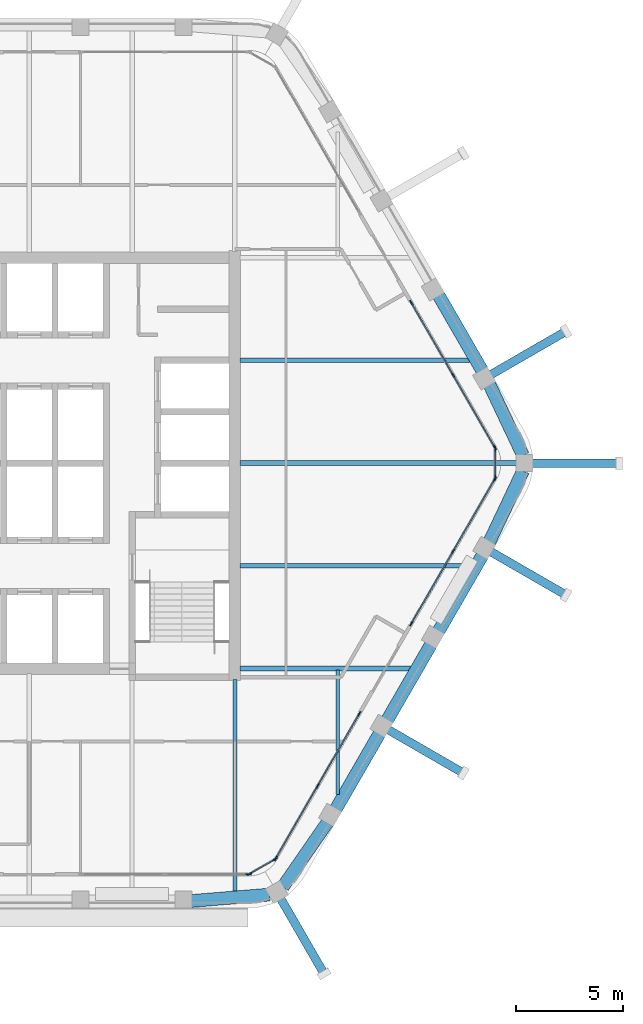
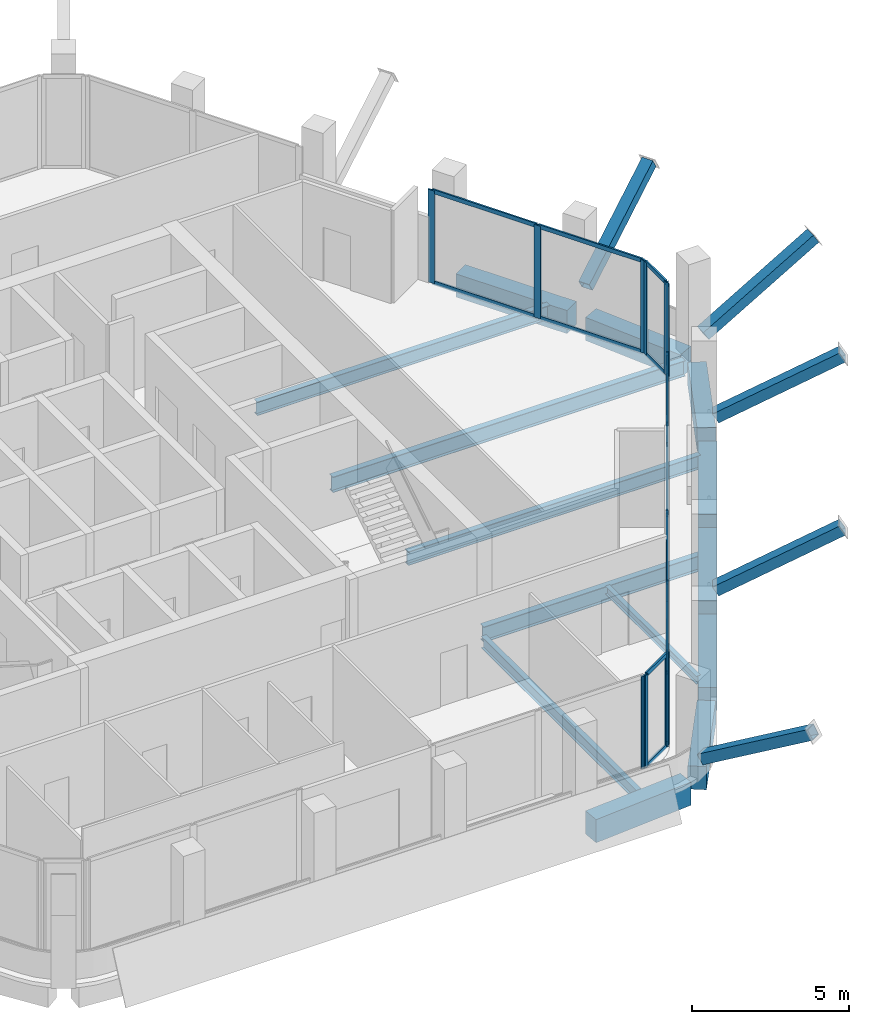
# One storey, part 4 of 14: 35 members, 14 beams, 6 elements without a shape of their own.
"""IFC4 building model written with IfcOpenShell, lengths in metres."""

from ifc_helpers import new_model, si_unit, direction, frame, origin, origin_2d, place, context, subcontext, project, spatial, rectangle, hollow_rectangle, i_section, extrude, material, material_profile, profile_set, type_object, element, aggregate, save


model = new_model("IFC4")

# Units and contexts
model_context = context("Model", 3, precision=1e-05, world=origin(), true_north=direction((0.0, 1.0)))
body_context = subcontext(model_context, "Body", "Model", "MODEL_VIEW")
ifc_project = project(units=[si_unit("LENGTHUNIT", "METRE"), si_unit("AREAUNIT", "SQUARE_METRE"), si_unit("VOLUMEUNIT", "CUBIC_METRE"), si_unit("PLANEANGLEUNIT", "RADIAN"), si_unit("MASSUNIT", "GRAM", prefix="KILO")], contexts=[model_context])

# Site, building, storey
site_placement = place(None, origin())
site = spatial("IfcSite", under=ifc_project, at=site_placement, CompositionType="ELEMENT")
building_placement = place(site_placement, origin())
building = spatial("IfcBuilding", under=site, at=building_placement, Name="Kolab Exchange Tower", CompositionType="ELEMENT")
storey_placement = place(building_placement, frame((0.0, 0.0, 281.300048828125)))
storey = spatial("IfcBuildingStorey", under=building, at=storey_placement, Name="L63", CompositionType="ELEMENT", Elevation=281.300048828125)

# Beams
ifc_material_1 = material(Name="Steel S355", Category="steel")
ifc_material_profile_1 = material_profile(ifc_material_1, i_section(OverallWidth=0.1650390625, OverallDepth=0.31005859375, WebThickness=0.005859375, FlangeThickness=0.009765625, at=origin_2d()), Name="W310X39")
ifc_profile_set_1 = profile_set([ifc_material_profile_1], Name="Steel S355")
beam_type_1 = type_object("IfcBeamType", Name="FLOOR BEAM W310X39", PredefinedType="BEAM", material=ifc_profile_set_1)
beam_1_placement = place(storey_placement, frame((14.39990234375, -15.4677734375, -0.304931640625), z_axis=(0.0, 1.0, 0.0), x_axis=(-1.0, 0.0, 0.0)))
element("IfcBeam", 1, at=beam_1_placement, inside=storey, type_object=beam_type_1, Name="beam/L63/fr/018", PredefinedType="BEAM", context=body_context, shape_type="SweptSolid", body=[
    extrude(i_section(OverallWidth=0.1650390625, OverallDepth=0.31005859375, WebThickness=0.005859375, FlangeThickness=0.009765625, at=origin_2d()), origin(), (0.0, 0.0, 1.0), 5.793701171875),
])
ifc_material_profile_2 = material_profile(ifc_material_1, i_section(OverallWidth=0.18994140625, OverallDepth=0.45703125, WebThickness=0.009033203125, FlangeThickness=0.014404296875, at=origin_2d()), Name="W460X74")
ifc_profile_set_2 = profile_set([ifc_material_profile_2], Name="Steel S355")
beam_type_2 = type_object("IfcBeamType", Name="FLOOR BEAM W460X74", PredefinedType="BEAM", material=ifc_profile_set_2)
beam_2_placement = place(storey_placement, frame((9.60009765625, -20.027099609375, -0.378662109375), z_axis=(0.0, 1.0, 0.0), x_axis=(-1.0, 0.0, 0.0)))
element("IfcBeam", 2, at=beam_2_placement, inside=storey, type_object=beam_type_2, Name="beam/L63/fr/013", PredefinedType="BEAM", context=body_context, shape_type="SweptSolid", body=[
    extrude(i_section(OverallWidth=0.18994140625, OverallDepth=0.45703125, WebThickness=0.009033203125, FlangeThickness=0.014404296875, at=origin_2d()), origin(), (0.0, 0.0, 1.0), 9.9169921875),
])
ifc_material_profile_3 = material_profile(ifc_material_1, i_section(OverallWidth=0.208984375, OverallDepth=0.532958984375, WebThickness=0.01025390625, FlangeThickness=0.015625, at=origin_2d()), Name="W530X92")
ifc_profile_set_3 = profile_set([ifc_material_profile_3], Name="Steel S355")
beam_type_3 = type_object("IfcBeamType", Name="FLOOR BEAM W530X92", PredefinedType="BEAM", material=ifc_profile_set_3)
for number, where, z_axis, x_axis, name in (
    (3, (9.8349609375, -4.800048828125, -0.41650390625), (1.0, 0.0, 0.0), (0.0, 1.0, 0.0), "beam/L63/fr/015"),
    (4, (9.8349609375, 4.800048828125, -0.41650390625), (1.0, 0.0, 0.0), (0.0, 1.0, 0.0), "beam/L63/fr/017"),
):
    element("IfcBeam", number, at=place(storey_placement, frame(where, z_axis=z_axis, x_axis=x_axis)), inside=storey, type_object=beam_type_3, Name=name, PredefinedType="BEAM", context=body_context, shape_type="SweptSolid", body=[
        extrude(i_section(OverallWidth=0.208984375, OverallDepth=0.532958984375, WebThickness=0.01025390625, FlangeThickness=0.015625, at=origin_2d()), origin(), (0.0, 0.0, 1.0), 10.740966796875),
    ])
ifc_material_profile_4 = material_profile(ifc_material_1, i_section(OverallWidth=0.22802734375, OverallDepth=0.60791015625, WebThickness=0.01123046875, FlangeThickness=0.017333984375, at=origin_2d()), Name="W610X113")
ifc_profile_set_4 = profile_set([ifc_material_profile_4], Name="Steel S355")
beam_type_4 = type_object("IfcBeamType", Name="FLOOR BEAM W610X113", PredefinedType="BEAM", material=ifc_profile_set_4)
beam_3_placement = place(storey_placement, frame((9.8349609375, 0.0, -0.4541015625), z_axis=(1.0, 0.0, 0.0), x_axis=(0.0, 1.0, 0.0)))
element("IfcBeam", 5, at=beam_3_placement, inside=storey, type_object=beam_type_4, Name="beam/L63/fr/016", PredefinedType="BEAM", context=body_context, shape_type="SweptSolid", body=[
    extrude(i_section(OverallWidth=0.22802734375, OverallDepth=0.60791015625, WebThickness=0.01123046875, FlangeThickness=0.017333984375, at=origin_2d()), origin(), (0.0, 0.0, 1.0), 12.94091796875),
])
ifc_material_profile_5 = material_profile(ifc_material_1, i_section(OverallWidth=0.22802734375, OverallDepth=0.60791015625, WebThickness=0.01123046875, FlangeThickness=0.017333984375, at=origin_2d()), Name="W610X113")
ifc_profile_set_5 = profile_set([ifc_material_profile_5], Name="Steel S355")
beam_type_5 = type_object("IfcBeamType", Name="FLOOR GIRDER W610X113", PredefinedType="BEAM", material=ifc_profile_set_5)
beam_4_placement = place(storey_placement, frame((9.8349609375, -9.60009765625, -0.4541015625), z_axis=(1.0, 0.0, 0.0), x_axis=(0.0, 1.0, 0.0)))
element("IfcBeam", 6, at=beam_4_placement, inside=storey, type_object=beam_type_5, Name="beam/L63/gd/002", PredefinedType="BEAM", context=body_context, shape_type="SweptSolid", body=[
    extrude(i_section(OverallWidth=0.22802734375, OverallDepth=0.60791015625, WebThickness=0.01123046875, FlangeThickness=0.017333984375, at=origin_2d()), origin(), (0.0, 0.0, 1.0), 7.9697265625),
])

# Members
ifc_material_profile_6 = material_profile(ifc_material_1, hollow_rectangle(XDim=0.39990234375, YDim=0.39990234375, WallThickness=0.02001953125, at=origin_2d()), Name="HSS400X400X20")
ifc_profile_set_6 = profile_set([ifc_material_profile_6], Name="Steel S355")
member_type_1 = type_object("IfcMemberType", Name="LEDGE STRUT HSS400X400X20", PredefinedType="STRUT", material=ifc_profile_set_6)
for number, where, z_axis, x_axis, name in (
    (7, (21.5654296875, 4.136962890625, 0.599853515625), (0.74712949304, 0.431355064226, 0.505697863547), (-0.499999695987, 0.866025579307, 0.0), "mem/L63/ledge/strut-2"),
    (8, (23.495849609375, 0.0, 0.599853515625), (0.862710518859, 0.0, 0.505698092394), (0.0, 1.0, 0.0), "mem/L63/ledge/strut-3"),
    (9, (21.5654296875, -4.136962890625, 0.599853515625), (0.74712949304, -0.431355064226, 0.505697863547), (0.499999695987, 0.866025579307, 0.0), "mem/L63/ledge/strut-4"),
    (10, (16.765380859375, -12.45068359375, 0.599853515625), (0.74712949304, -0.431355064226, 0.505697863547), (0.499999695987, 0.866025579307, 0.0), "mem/L63/ledge/strut-5"),
    (11, (11.747802734375, -20.347900390625, 0.599853515625), (0.431355064226, -0.74712949304, 0.505697863547), (0.866025579307, 0.499999695987, 0.0), "mem/L63/ledge/strut-6"),
):
    element("IfcMember", number, at=place(storey_placement, frame(where, z_axis=z_axis, x_axis=x_axis)), inside=storey, type_object=member_type_1, Name=name, PredefinedType="STRUT", context=body_context, shape_type="SweptSolid", body=[
        extrude(hollow_rectangle(XDim=0.39990234375, YDim=0.39990234375, WallThickness=0.02001953125, at=origin_2d()), origin(), (0.0, 0.0, 1.0), 4.682861328125),
    ])

# Beams
ifc_material_2 = material(Name="Concrete C50/60", Category="concrete")
ifc_material_profile_7 = material_profile(ifc_material_2, rectangle(XDim=0.60009765625, YDim=0.89990234375, at=origin_2d()), Name="RC600X900")
ifc_profile_set_7 = profile_set([ifc_material_profile_7], Name="Concrete C50/60")
beam_type_6 = type_object("IfcBeamType", Name="SPANDREL BEAM 600X900 C50/60", PredefinedType="BEAM", material=ifc_profile_set_7)
beam_5_placement = place(storey_placement, frame((19.1201171875, 7.85205078125, -0.60009765625), z_axis=(0.500000428765, -0.866025156237, 0.0), x_axis=(0.866025156237, 0.500000428765, 0.0)))
element("IfcBeam", 12, at=beam_5_placement, inside=storey, type_object=beam_type_6, Name="beam/L63/sp/F2-04", PredefinedType="BEAM", context=body_context, shape_type="SweptSolid", body=[
    extrude(rectangle(XDim=0.60009765625, YDim=0.89990234375, at=origin_2d()), origin(), (0.0, 0.0, 1.0), 4.080078125),
])
for number, where, z_axis, x_axis, name in (
    (13, (21.49462890625, 3.68017578125, -0.60009765625), (0.427677251998, -0.903931506323, 0.0), (0.903931506323, 0.427677251998, 0.0), "beam/L63/sp/F2-05"),
    (14, (23.063720703125, -0.36376953125, -0.60009765625), (-0.427677251998, -0.903931506323, 0.0), (0.903931506323, -0.427677251998, 0.0), "beam/L63/sp/F3-01"),
):
    element("IfcBeam", number, at=place(storey_placement, frame(where, z_axis=z_axis, x_axis=x_axis)), inside=storey, type_object=beam_type_6, Name=name, PredefinedType="BEAM", context=body_context, shape_type="SweptSolid", body=[
        extrude(rectangle(XDim=0.60009765625, YDim=0.89990234375, at=origin_2d()), origin(), (0.0, 0.0, 1.0), 3.6689453125),
    ])
for number, where, z_axis, x_axis, name in (
    (15, (21.16015625, -4.318603515625, -0.60009765625), (-0.500000428765, -0.866025156237, 0.0), (0.866025156237, -0.500000428765, 0.0), "beam/L63/sp/F3-02"),
    (16, (18.76025390625, -8.4755859375, -0.60009765625), (-0.500000428765, -0.866025156237, 0.0), (0.866025156237, -0.500000428765, 0.0), "beam/L63/sp/F3-03"),
):
    element("IfcBeam", number, at=place(storey_placement, frame(where, z_axis=z_axis, x_axis=x_axis)), inside=storey, type_object=beam_type_6, Name=name, PredefinedType="BEAM", context=body_context, shape_type="SweptSolid", body=[
        extrude(rectangle(XDim=0.60009765625, YDim=0.89990234375, at=origin_2d()), origin(), (0.0, 0.0, 1.0), 4.080078125),
    ])
beam_6_placement = place(storey_placement, frame((16.360107421875, -12.632568359375, -0.60009765625), z_axis=(-0.499955548806, -0.866051066172, 0.0), x_axis=(0.866051066172, -0.499955548806, 0.0)))
element("IfcBeam", 17, at=beam_6_placement, inside=storey, type_object=beam_type_6, Name="beam/L63/sp/F3-04", PredefinedType="BEAM", context=body_context, shape_type="SweptSolid", body=[
    extrude(rectangle(XDim=0.60009765625, YDim=0.89990234375, at=origin_2d()), origin(), (0.0, 0.0, 1.0), 4.079833984375),
])
for number, where, z_axis, x_axis, name in (
    (18, (13.9345703125, -16.77490234375, -0.60009765625), (-0.569005808573, -0.822333502789, 0.0), (0.822333502789, -0.569005808573, 0.0), "beam/L63/sp/F3-05"),
    (19, (11.216796875, -20.15576171875, -0.60009765625), (-0.996666751878, -0.081580547323, 0.0), (0.081580547323, -0.996666751878, 0.0), "beam/L63/sp/F4-01"),
):
    element("IfcBeam", number, at=place(storey_placement, frame(where, z_axis=z_axis, x_axis=x_axis)), inside=storey, type_object=beam_type_6, Name=name, PredefinedType="BEAM", context=body_context, shape_type="SweptSolid", body=[
        extrude(rectangle(XDim=0.60009765625, YDim=0.89990234375, at=origin_2d()), origin(), (0.0, 0.0, 1.0), 3.6689453125),
    ])

# Curtain wall, members
ifc_material_3 = material(Name="Aluminium EN AW-6063 T6", Category="aluminium")
curtain_wall_type = type_object("IfcCurtainWallType", Name="UNITISED HIGH ZONE CURTAIN WALL", PredefinedType="NOTDEFINED", material=ifc_material_3)
curtain_wall_1_placement = place(storey_placement, origin())
curtain_wall_1 = element("IfcCurtainWall", 20, at=curtain_wall_1_placement, inside=storey, type_object=curtain_wall_type, Name="cw/L63/F2-2", PredefinedType="NOTDEFINED")
ifc_material_profile_8 = material_profile(ifc_material_3, rectangle(XDim=0.06005859375, YDim=0.239990234375, at=origin_2d()), Name="RECT 60X240")
ifc_profile_set_8 = profile_set([ifc_material_profile_8], Name="Aluminium EN AW-6063 T6")
member_type_2 = type_object("IfcMemberType", Name="UNITISED HIGH ZONE MULLION 60 X 240", PredefinedType="MULLION", material=ifc_profile_set_8)
member_1_placement = place(storey_placement, frame((17.8466796875, 7.497802734375, 0.0), z_axis=(0.0, 0.0, 1.0), x_axis=(0.866025440524, 0.499999936366, 0.0)))
member_1 = element("IfcMember", 21, at=member_1_placement, type_object=member_type_2, Name="CW4 mullion 1", PredefinedType="MULLION", context=body_context, shape_type="SweptSolid", body=[
    extrude(rectangle(XDim=0.06005859375, YDim=0.239990234375, at=origin_2d()), origin(), (0.0, 0.0, 1.0), 3.599853515625),
])
member_2_placement = place(storey_placement, frame((19.798583984375, 4.116943359375, 0.0), z_axis=(0.0, 0.0, 1.0), x_axis=(0.866025440524, 0.499999936366, 0.0)))
member_2 = element("IfcMember", 22, at=member_2_placement, type_object=member_type_2, Name="CW4 mullion 2", PredefinedType="MULLION", context=body_context, shape_type="SweptSolid", body=[
    extrude(rectangle(XDim=0.06005859375, YDim=0.239990234375, at=origin_2d()), origin(), (0.0, 0.0, 1.0), 3.599853515625),
])
member_3_placement = place(storey_placement, frame((21.750732421875, 0.736083984375, 0.0), z_axis=(0.0, 0.0, 1.0), x_axis=(0.866025440524, 0.499999936366, 0.0)))
member_3 = element("IfcMember", 23, at=member_3_placement, type_object=member_type_2, Name="CW4 mullion 3", PredefinedType="MULLION", context=body_context, shape_type="SweptSolid", body=[
    extrude(rectangle(XDim=0.06005859375, YDim=0.239990234375, at=origin_2d()), origin(), (0.0, 0.0, 1.0), 3.599853515625),
])

curtain_wall_2_placement = place(storey_placement, origin())
curtain_wall_2 = element("IfcCurtainWall", 24, at=curtain_wall_2_placement, inside=storey, type_object=curtain_wall_type, Name="cw/L63/F3-1", PredefinedType="NOTDEFINED")
member_4_placement = place(storey_placement, frame((21.750732421875, -0.736083984375, 0.0), z_axis=(0.0, 0.0, 1.0), x_axis=(0.866025440524, -0.499999936366, 0.0)))
member_4 = element("IfcMember", 25, at=member_4_placement, type_object=member_type_2, Name="CW4 mullion 1", PredefinedType="MULLION", context=body_context, shape_type="SweptSolid", body=[
    extrude(rectangle(XDim=0.06005859375, YDim=0.239990234375, at=origin_2d()), origin(), (0.0, 0.0, 1.0), 3.599853515625),
])
member_5_placement = place(storey_placement, frame((19.798583984375, -4.116943359375, 0.0), z_axis=(0.0, 0.0, 1.0), x_axis=(0.866025440524, -0.499999936366, 0.0)))
member_5 = element("IfcMember", 26, at=member_5_placement, type_object=member_type_2, Name="CW4 mullion 2", PredefinedType="MULLION", context=body_context, shape_type="SweptSolid", body=[
    extrude(rectangle(XDim=0.06005859375, YDim=0.239990234375, at=origin_2d()), origin(), (0.0, 0.0, 1.0), 3.599853515625),
])
member_6_placement = place(storey_placement, frame((17.8466796875, -7.497802734375, 0.0), z_axis=(0.0, 0.0, 1.0), x_axis=(0.866025440524, -0.499999936366, 0.0)))
member_6 = element("IfcMember", 27, at=member_6_placement, type_object=member_type_2, Name="CW4 mullion 3", PredefinedType="MULLION", context=body_context, shape_type="SweptSolid", body=[
    extrude(rectangle(XDim=0.06005859375, YDim=0.239990234375, at=origin_2d()), origin(), (0.0, 0.0, 1.0), 3.599853515625),
])

curtain_wall_3_placement = place(storey_placement, origin())
curtain_wall_3 = element("IfcCurtainWall", 28, at=curtain_wall_3_placement, inside=storey, type_object=curtain_wall_type, Name="cw/L63/F3-2", PredefinedType="NOTDEFINED")
member_7_placement = place(storey_placement, frame((15.416748046875, -11.706787109375, 0.0), z_axis=(0.0, 0.0, 1.0), x_axis=(0.866025385493, -0.500000031681, 0.0)))
member_7 = element("IfcMember", 29, at=member_7_placement, type_object=member_type_2, Name="CW4 mullion 1", PredefinedType="MULLION", context=body_context, shape_type="SweptSolid", body=[
    extrude(rectangle(XDim=0.06005859375, YDim=0.239990234375, at=origin_2d()), origin(), (0.0, 0.0, 1.0), 3.599853515625),
])
member_8_placement = place(storey_placement, frame((13.464599609375, -15.087646484375, 0.0), z_axis=(0.0, 0.0, 1.0), x_axis=(0.866025385493, -0.500000031681, 0.0)))
member_8 = element("IfcMember", 30, at=member_8_placement, type_object=member_type_2, Name="CW4 mullion 2", PredefinedType="MULLION", context=body_context, shape_type="SweptSolid", body=[
    extrude(rectangle(XDim=0.06005859375, YDim=0.239990234375, at=origin_2d()), origin(), (0.0, 0.0, 1.0), 3.599853515625),
])
member_9_placement = place(storey_placement, frame((11.5126953125, -18.46875, 0.0), z_axis=(0.0, 0.0, 1.0), x_axis=(0.866025385493, -0.500000031681, 0.0)))
member_9 = element("IfcMember", 31, at=member_9_placement, type_object=member_type_2, Name="CW4 mullion 3", PredefinedType="MULLION", context=body_context, shape_type="SweptSolid", body=[
    extrude(rectangle(XDim=0.06005859375, YDim=0.239990234375, at=origin_2d()), origin(), (0.0, 0.0, 1.0), 3.599853515625),
])

# Curtain wall, member
curtain_wall_4_placement = place(storey_placement, origin())
curtain_wall_4 = element("IfcCurtainWall", 32, at=curtain_wall_4_placement, inside=storey, type_object=curtain_wall_type, Name="cw/L63/F4-1", PredefinedType="NOTDEFINED")
member_10_placement = place(storey_placement, frame((10.238037109375, -19.20458984375, 0.0), z_axis=(0.0, 0.0, 1.0), x_axis=(0.0, -1.0, 0.0)))
member_10 = element("IfcMember", 33, at=member_10_placement, type_object=member_type_2, Name="CW4 mullion 1", PredefinedType="MULLION", context=body_context, shape_type="SweptSolid", body=[
    extrude(rectangle(XDim=0.06005859375, YDim=0.239990234375, at=origin_2d()), origin(), (0.0, 0.0, 1.0), 3.599853515625),
])
aggregate(curtain_wall_4, [member_10])

# Curtain wall, members
curtain_wall_5_placement = place(storey_placement, origin())
curtain_wall_5 = element("IfcCurtainWall", 34, at=curtain_wall_5_placement, inside=storey, type_object=curtain_wall_type, Name="cw/L63/F2F3-corner", PredefinedType="NOTDEFINED")
member_11_placement = place(storey_placement, frame((21.765625, 0.679931640625, 0.0), z_axis=(0.0, 0.0, 1.0), x_axis=(1.0, 0.0, 0.0)))
member_11 = element("IfcMember", 35, at=member_11_placement, type_object=member_type_2, Name="CW4 mullion 1", PredefinedType="MULLION", context=body_context, shape_type="SweptSolid", body=[
    extrude(rectangle(XDim=0.06005859375, YDim=0.239990234375, at=origin_2d()), origin(), (0.0, 0.0, 1.0), 3.599853515625),
])
member_12_placement = place(storey_placement, frame((21.765625, -0.679931640625, 0.0), z_axis=(0.0, 0.0, 1.0), x_axis=(1.0, 0.0, 0.0)))
member_12 = element("IfcMember", 36, at=member_12_placement, type_object=member_type_2, Name="CW4 mullion 2", PredefinedType="MULLION", context=body_context, shape_type="SweptSolid", body=[
    extrude(rectangle(XDim=0.06005859375, YDim=0.239990234375, at=origin_2d()), origin(), (0.0, 0.0, 1.0), 3.599853515625),
])

curtain_wall_6_placement = place(storey_placement, origin())
curtain_wall_6 = element("IfcCurtainWall", 37, at=curtain_wall_6_placement, inside=storey, type_object=curtain_wall_type, Name="cw/L63/F3F4-corner", PredefinedType="NOTDEFINED")
member_13_placement = place(storey_placement, frame((11.4716796875, -18.509521484375, 0.0), z_axis=(0.0, 0.0, 1.0), x_axis=(0.50000002237, -0.866025390869, 0.0)))
member_13 = element("IfcMember", 38, at=member_13_placement, type_object=member_type_2, Name="CW4 mullion 1", PredefinedType="MULLION", context=body_context, shape_type="SweptSolid", body=[
    extrude(rectangle(XDim=0.06005859375, YDim=0.239990234375, at=origin_2d()), origin(), (0.0, 0.0, 1.0), 3.599853515625),
])
member_14_placement = place(storey_placement, frame((10.2939453125, -19.189697265625, 0.0), z_axis=(0.0, 0.0, 1.0), x_axis=(0.50000002237, -0.866025390869, 0.0)))
member_14 = element("IfcMember", 39, at=member_14_placement, type_object=member_type_2, Name="CW4 mullion 2", PredefinedType="MULLION", context=body_context, shape_type="SweptSolid", body=[
    extrude(rectangle(XDim=0.06005859375, YDim=0.239990234375, at=origin_2d()), origin(), (0.0, 0.0, 1.0), 3.599853515625),
])

# Member
ifc_material_profile_9 = material_profile(ifc_material_3, rectangle(XDim=0.06005859375, YDim=0.159912109375, at=origin_2d()), Name="RECT 60X160")
ifc_profile_set_9 = profile_set([ifc_material_profile_9], Name="Aluminium EN AW-6063 T6")
member_type_3 = type_object("IfcMemberType", Name="UNITISED HIGH ZONE TRANSOM 60 X 160", PredefinedType="USERDEFINED", material=ifc_profile_set_9)
member_15_placement = place(storey_placement, frame((17.861572265625, 7.471923828125, 0.030029296875), z_axis=(0.500011990396, -0.866018481016, 0.0), x_axis=(0.866018481016, 0.500011990396, 0.0)))
member_15 = element("IfcMember", 40, at=member_15_placement, type_object=member_type_3, Name="CW4 transom 1.1", ObjectType="TRANSOM", PredefinedType="USERDEFINED", context=body_context, shape_type="SweptSolid", body=[
    extrude(rectangle(XDim=0.06005859375, YDim=0.159912109375, at=origin_2d()), origin(), (0.0, 0.0, 1.0), 3.84423828125),
])

member_16_placement = place(storey_placement, frame((17.861572265625, 7.471923828125, 3.570068359375), z_axis=(0.500011990396, -0.866018481016, 0.0), x_axis=(0.866018481016, 0.500011990396, 0.0)))
member_16 = element("IfcMember", 41, at=member_16_placement, type_object=member_type_3, Name="CW4 transom 1.2", ObjectType="TRANSOM", PredefinedType="USERDEFINED", context=body_context, shape_type="SweptSolid", body=[
    extrude(rectangle(XDim=0.06005859375, YDim=0.159912109375, at=origin_2d()), origin(), (0.0, 0.0, 1.0), 3.84423828125),
])

member_17_placement = place(storey_placement, frame((19.813720703125, 4.0908203125, 0.030029296875), z_axis=(0.499991857942, -0.866030104553, 0.0), x_axis=(0.866030104553, 0.499991857942, 0.0)))
member_17 = element("IfcMember", 42, at=member_17_placement, type_object=member_type_3, Name="CW4 transom 2.1", ObjectType="TRANSOM", PredefinedType="USERDEFINED", context=body_context, shape_type="SweptSolid", body=[
    extrude(rectangle(XDim=0.06005859375, YDim=0.159912109375, at=origin_2d()), origin(), (0.0, 0.0, 1.0), 3.84375),
])

member_18_placement = place(storey_placement, frame((19.813720703125, 4.0908203125, 3.570068359375), z_axis=(0.499991857942, -0.866030104553, 0.0), x_axis=(0.866030104553, 0.499991857942, 0.0)))
member_18 = element("IfcMember", 43, at=member_18_placement, type_object=member_type_3, Name="CW4 transom 2.2", ObjectType="TRANSOM", PredefinedType="USERDEFINED", context=body_context, shape_type="SweptSolid", body=[
    extrude(rectangle(XDim=0.06005859375, YDim=0.159912109375, at=origin_2d()), origin(), (0.0, 0.0, 1.0), 3.84375),
])

aggregate(curtain_wall_1, [member_1, member_2, member_3, member_15, member_16, member_17, member_18])

member_19_placement = place(storey_placement, frame((21.735595703125, -0.761962890625, 0.030029296875), z_axis=(-0.499991857942, -0.866030104553, 0.0), x_axis=(0.866030104553, -0.499991857942, 0.0)))
member_19 = element("IfcMember", 44, at=member_19_placement, type_object=member_type_3, Name="CW4 transom 1.1", ObjectType="TRANSOM", PredefinedType="USERDEFINED", context=body_context, shape_type="SweptSolid", body=[
    extrude(rectangle(XDim=0.06005859375, YDim=0.159912109375, at=origin_2d()), origin(), (0.0, 0.0, 1.0), 3.84375),
])

member_20_placement = place(storey_placement, frame((21.735595703125, -0.761962890625, 3.570068359375), z_axis=(-0.499991857942, -0.866030104553, 0.0), x_axis=(0.866030104553, -0.499991857942, 0.0)))
member_20 = element("IfcMember", 45, at=member_20_placement, type_object=member_type_3, Name="CW4 transom 1.2", ObjectType="TRANSOM", PredefinedType="USERDEFINED", context=body_context, shape_type="SweptSolid", body=[
    extrude(rectangle(XDim=0.06005859375, YDim=0.159912109375, at=origin_2d()), origin(), (0.0, 0.0, 1.0), 3.84375),
])

member_21_placement = place(storey_placement, frame((19.78369140625, -4.142822265625, 0.030029296875), z_axis=(-0.500011990396, -0.866018481016, 0.0), x_axis=(0.866018481016, -0.500011990396, 0.0)))
member_21 = element("IfcMember", 46, at=member_21_placement, type_object=member_type_3, Name="CW4 transom 2.1", ObjectType="TRANSOM", PredefinedType="USERDEFINED", context=body_context, shape_type="SweptSolid", body=[
    extrude(rectangle(XDim=0.06005859375, YDim=0.159912109375, at=origin_2d()), origin(), (0.0, 0.0, 1.0), 3.84423828125),
])

member_22_placement = place(storey_placement, frame((19.78369140625, -4.142822265625, 3.570068359375), z_axis=(-0.500011990396, -0.866018481016, 0.0), x_axis=(0.866018481016, -0.500011990396, 0.0)))
member_22 = element("IfcMember", 47, at=member_22_placement, type_object=member_type_3, Name="CW4 transom 2.2", ObjectType="TRANSOM", PredefinedType="USERDEFINED", context=body_context, shape_type="SweptSolid", body=[
    extrude(rectangle(XDim=0.06005859375, YDim=0.159912109375, at=origin_2d()), origin(), (0.0, 0.0, 1.0), 3.84423828125),
])

aggregate(curtain_wall_2, [member_4, member_5, member_6, member_19, member_20, member_21, member_22])

member_23_placement = place(storey_placement, frame((15.401611328125, -11.732666015625, 0.030029296875), z_axis=(-0.499964356602, -0.866045981532, 0.0), x_axis=(0.866045981532, -0.499964356602, 0.0)))
member_23 = element("IfcMember", 48, at=member_23_placement, type_object=member_type_3, Name="CW4 transom 1.1", ObjectType="TRANSOM", PredefinedType="USERDEFINED", context=body_context, shape_type="SweptSolid", body=[
    extrude(rectangle(XDim=0.06005859375, YDim=0.159912109375, at=origin_2d()), origin(), (0.0, 0.0, 1.0), 3.843994140625),
])

member_24_placement = place(storey_placement, frame((15.401611328125, -11.732666015625, 3.570068359375), z_axis=(-0.499964356602, -0.866045981532, 0.0), x_axis=(0.866045981532, -0.499964356602, 0.0)))
member_24 = element("IfcMember", 49, at=member_24_placement, type_object=member_type_3, Name="CW4 transom 1.2", ObjectType="TRANSOM", PredefinedType="USERDEFINED", context=body_context, shape_type="SweptSolid", body=[
    extrude(rectangle(XDim=0.06005859375, YDim=0.159912109375, at=origin_2d()), origin(), (0.0, 0.0, 1.0), 3.843994140625),
])

member_25_placement = place(storey_placement, frame((13.44970703125, -15.11376953125, 0.030029296875), z_axis=(-0.500039492609, -0.866002601515, 0.0), x_axis=(0.866002601515, -0.500039492609, 0.0)))
member_25 = element("IfcMember", 50, at=member_25_placement, type_object=member_type_3, Name="CW4 transom 2.1", ObjectType="TRANSOM", PredefinedType="USERDEFINED", context=body_context, shape_type="SweptSolid", body=[
    extrude(rectangle(XDim=0.06005859375, YDim=0.159912109375, at=origin_2d()), origin(), (0.0, 0.0, 1.0), 3.843994140625),
])

member_26_placement = place(storey_placement, frame((13.44970703125, -15.11376953125, 3.570068359375), z_axis=(-0.500039492609, -0.866002601515, 0.0), x_axis=(0.866002601515, -0.500039492609, 0.0)))
member_26 = element("IfcMember", 51, at=member_26_placement, type_object=member_type_3, Name="CW4 transom 2.2", ObjectType="TRANSOM", PredefinedType="USERDEFINED", context=body_context, shape_type="SweptSolid", body=[
    extrude(rectangle(XDim=0.06005859375, YDim=0.159912109375, at=origin_2d()), origin(), (0.0, 0.0, 1.0), 3.843994140625),
])

aggregate(curtain_wall_3, [member_7, member_8, member_9, member_23, member_24, member_25, member_26])

member_27_placement = place(storey_placement, frame((21.765625, 0.64990234375, 0.030029296875), z_axis=(0.0, -1.0, 0.0), x_axis=(1.0, 0.0, 0.0)))
member_27 = element("IfcMember", 52, at=member_27_placement, type_object=member_type_3, Name="CW4 transom 1.1", ObjectType="TRANSOM", PredefinedType="USERDEFINED", context=body_context, shape_type="SweptSolid", body=[
    extrude(rectangle(XDim=0.06005859375, YDim=0.159912109375, at=origin_2d()), origin(), (0.0, 0.0, 1.0), 1.2998046875),
])

member_28_placement = place(storey_placement, frame((21.765625, 0.64990234375, 3.570068359375), z_axis=(0.0, -1.0, 0.0), x_axis=(1.0, 0.0, 0.0)))
member_28 = element("IfcMember", 53, at=member_28_placement, type_object=member_type_3, Name="CW4 transom 1.2", ObjectType="TRANSOM", PredefinedType="USERDEFINED", context=body_context, shape_type="SweptSolid", body=[
    extrude(rectangle(XDim=0.06005859375, YDim=0.159912109375, at=origin_2d()), origin(), (0.0, 0.0, 1.0), 1.2998046875),
])

aggregate(curtain_wall_5, [member_11, member_12, member_27, member_28])

member_29_placement = place(storey_placement, frame((11.44580078125, -18.524658203125, 0.030029296875), z_axis=(-0.866085525409, -0.49989585183, 0.0), x_axis=(0.49989585183, -0.866085525409, 0.0)))
member_29 = element("IfcMember", 54, at=member_29_placement, type_object=member_type_3, Name="CW4 transom 1.1", ObjectType="TRANSOM", PredefinedType="USERDEFINED", context=body_context, shape_type="SweptSolid", body=[
    extrude(rectangle(XDim=0.06005859375, YDim=0.159912109375, at=origin_2d()), origin(), (0.0, 0.0, 1.0), 1.300048828125),
])

member_30_placement = place(storey_placement, frame((11.44580078125, -18.524658203125, 3.570068359375), z_axis=(-0.866085525409, -0.49989585183, 0.0), x_axis=(0.49989585183, -0.866085525409, 0.0)))
member_30 = element("IfcMember", 55, at=member_30_placement, type_object=member_type_3, Name="CW4 transom 1.2", ObjectType="TRANSOM", PredefinedType="USERDEFINED", context=body_context, shape_type="SweptSolid", body=[
    extrude(rectangle(XDim=0.06005859375, YDim=0.159912109375, at=origin_2d()), origin(), (0.0, 0.0, 1.0), 1.300048828125),
])

aggregate(curtain_wall_6, [member_13, member_14, member_29, member_30])

save(model, "model.ifc")
